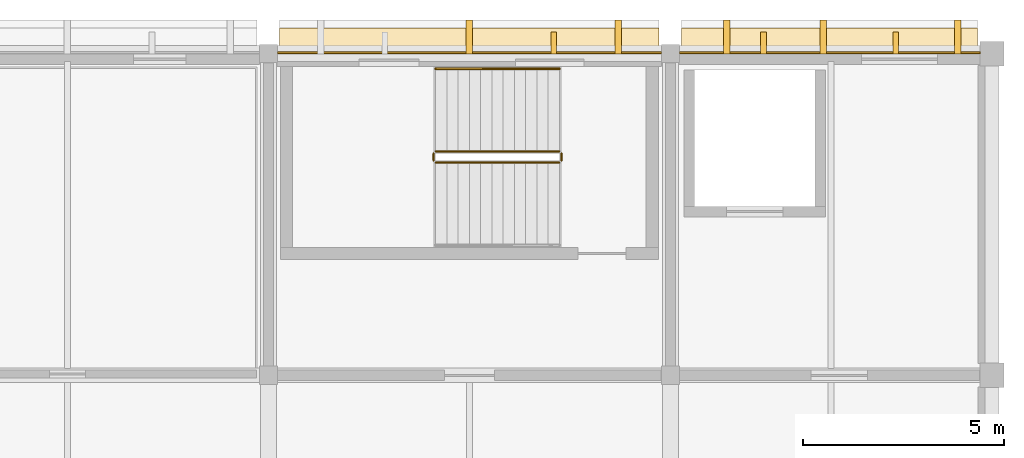
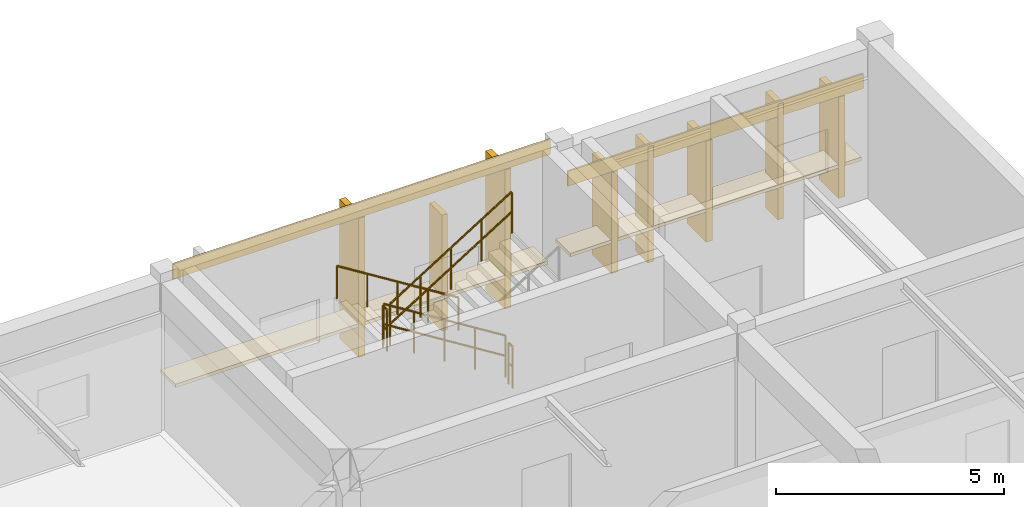
# One storey, part 21 of 21: 9 coverings, 5 railings, 3 shading devices.
"""IFC4 building model written with IfcOpenShell, lengths in metres."""

from ifc_helpers import new_model, si_unit, direction, frame, frame_2d, origin, origin_2d, place, context, subcontext, project, spatial, rectangle, circle, extrude, material, layer, layer_set, type_object, element, save


model = new_model("IFC4")

# Units and contexts
model_context = context("Model", 3, precision=1e-05, world=origin(), true_north=direction((0.0, 1.0)))
body_context = subcontext(model_context, "Body", "Model", "MODEL_VIEW")
ifc_project = project(units=[si_unit("LENGTHUNIT", "METRE"), si_unit("AREAUNIT", "SQUARE_METRE"), si_unit("VOLUMEUNIT", "CUBIC_METRE"), si_unit("PLANEANGLEUNIT", "RADIAN"), si_unit("MASSUNIT", "GRAM", prefix="KILO")], contexts=[model_context])

# Site, building, storey
site_placement = place(None, origin())
site = spatial("IfcSite", under=ifc_project, at=site_placement, CompositionType="ELEMENT")
building_placement = place(site_placement, origin())
building = spatial("IfcBuilding", under=site, at=building_placement, Name="Kivolera Central Railway Station", CompositionType="ELEMENT")
storey_placement = place(building_placement, frame((0.0, 0.0, 22.800048828125)))
storey = spatial("IfcBuildingStorey", under=building, at=storey_placement, Name="L05", CompositionType="ELEMENT", Elevation=22.800048828125)

# Shading devices
ifc_material_1 = material(Name="Precast concrete C40/50", Category="concrete")
shading_device_type = type_object("IfcShadingDeviceType", Name="BS-FIN-UPP", PredefinedType="USERDEFINED", material=ifc_material_1)
for number, where, z_axis, x_axis, name in (
    (1, (185.10302734375, 134.26708984375, 0.0), (0.0, 0.0, 1.0), (1.0, 0.0, 0.0), "L05 North Brise-Soleil Fin 7.2"),
    (2, (190.31591796875, 134.26708984375, 0.0), (0.0, 0.0, 1.0), (1.0, 0.0, 0.0), "L05 North Brise-Soleil Fin 8.1"),
    (3, (193.60888671875, 134.26708984375, 0.0), (0.0, 0.0, 1.0), (1.0, 0.0, 0.0), "L05 North Brise-Soleil Fin 8.2"),
):
    element("IfcShadingDevice", number, at=place(storey_placement, frame(where, z_axis=z_axis, x_axis=x_axis)), inside=storey, type_object=shading_device_type, Name=name, ObjectType="FIN", PredefinedType="USERDEFINED", context=body_context, shape_type="SweptSolid", body=[
        extrude(rectangle(XDim=0.139892578125, YDim=0.550048828125, at=origin_2d()), origin(), (0.0, 0.0, 1.0), 3.10009765625),
    ])

# Coverings
ifc_layer_1 = layer(ifc_material_1, 0.090087890625, Name="Precast concrete C40/50")
ifc_layer_set_1 = layer_set([ifc_layer_1], Name="Precast concrete C40/50")
covering_type_1 = type_object("IfcCoveringType", Name="COV-CLAUSTRA-90", PredefinedType="CLADDING", material=ifc_layer_set_1)
covering_1_placement = place(storey_placement, frame((183.0, 134.31298828125, 0.85498046875), z_axis=(0.0, 0.0, 1.0), x_axis=(1.0, 0.0, 0.0)))
element("IfcCovering", 4, at=covering_1_placement, inside=storey, type_object=covering_type_1, Name="L05 North Precast Egg-Crate Sill Shelf 7", PredefinedType="CLADDING", context=body_context, shape_type="SweptSolid", body=[
    extrude(rectangle(XDim=9.43994140625, YDim=0.64990234375, at=origin_2d()), origin(), (0.0, 0.0, 1.0), 0.090087890625),
])
covering_2_placement = place(storey_placement, frame((191.962890625, 134.31298828125, 0.85498046875), z_axis=(0.0, 0.0, 1.0), x_axis=(1.0, 0.0, 0.0)))
element("IfcCovering", 5, at=covering_2_placement, inside=storey, type_object=covering_type_1, Name="L05 North Precast Egg-Crate Sill Shelf 8", PredefinedType="CLADDING", context=body_context, shape_type="SweptSolid", body=[
    extrude(rectangle(XDim=7.364990234375, YDim=0.64990234375, at=origin_2d()), origin(), (0.0, 0.0, 1.0), 0.090087890625),
])
ifc_material_2 = material(Name="Swahili coral limestone", Category="masonry")
ifc_layer_2 = layer(ifc_material_2, 0.159912109375, Name="Swahili coral limestone")
ifc_layer_set_2 = layer_set([ifc_layer_2], Name="Swahili coral limestone")
covering_type_2 = type_object("IfcCoveringType", Name="COV-EGGFIN-160", PredefinedType="CLADDING", material=ifc_layer_set_2)
for number, where, z_axis, x_axis, name in (
    (6, (183.0, 134.4130859375, 0.0400390625), (0.0, 0.0, 1.0), (1.0, 0.0, 0.0), "L05 North Afro-Modernist Coral-Stone Sun-Fin 7.2"),
    (7, (186.699951171875, 134.4130859375, 0.0400390625), (0.0, 0.0, 1.0), (1.0, 0.0, 0.0), "L05 North Afro-Modernist Coral-Stone Sun-Fin 7.3"),
):
    element("IfcCovering", number, at=place(storey_placement, frame(where, z_axis=z_axis, x_axis=x_axis)), inside=storey, type_object=covering_type_2, Name=name, PredefinedType="CLADDING", context=body_context, shape_type="SweptSolid", body=[
        extrude(rectangle(XDim=0.159912109375, YDim=0.85009765625, at=origin_2d()), origin(), (0.0, 0.0, 1.0), 3.719970703125),
    ])
for number, where, z_axis, x_axis, name in (
    (8, (189.39990234375, 134.4130859375, 0.0400390625), (0.0, 0.0, 1.0), (1.0, 0.0, 0.0), "L05 North Afro-Modernist Coral-Stone Sun-Fin 8.1"),
    (9, (191.800048828125, 134.4130859375, 0.0400390625), (0.0, 0.0, 1.0), (1.0, 0.0, 0.0), "L05 North Afro-Modernist Coral-Stone Sun-Fin 8.2"),
    (10, (195.14990234375, 134.4130859375, 0.0400390625), (0.0, 0.0, 1.0), (1.0, 0.0, 0.0), "L05 North Afro-Modernist Coral-Stone Sun-Fin 8.3"),
):
    element("IfcCovering", number, at=place(storey_placement, frame(where, z_axis=z_axis, x_axis=x_axis)), inside=storey, type_object=covering_type_2, Name=name, PredefinedType="CLADDING", context=body_context, shape_type="SweptSolid", body=[
        extrude(rectangle(XDim=0.159912109375, YDim=0.85009765625, at=origin_2d()), origin(), (0.0, 0.0, 1.0), 2.7080078125),
    ])
ifc_material_3 = material(Name="Terracotta clay tile", Category="masonry")
ifc_layer_3 = layer(ifc_material_3, 0.044921875, Name="Terracotta clay tile")
ifc_layer_set_3 = layer_set([ifc_layer_3], Name="Terracotta clay tile")
covering_type_3 = type_object("IfcCoveringType", Name="COV-TERRACOTTA-45", PredefinedType="CLADDING", material=ifc_layer_set_3)
covering_3_placement = place(storey_placement, frame((178.219970703125, 134.02001953125, 3.77001953125), z_axis=(0.0, 0.0, 1.0), x_axis=(1.0, 0.0, 0.0)))
element("IfcCovering", 11, at=covering_3_placement, inside=storey, type_object=covering_type_3, Name="L05 North Terracotta Spandrel 7", PredefinedType="CLADDING", context=body_context, shape_type="SweptSolid", body=[
    extrude(rectangle(XDim=9.56005859375, YDim=0.044921875, at=frame_2d((4.780029296875, 0.0))), origin(), (0.0, 0.0, 1.0), 0.39990234375),
])
covering_4_placement = place(storey_placement, frame((188.219970703125, 134.02001953125, 2.758056640625), z_axis=(0.0, 0.0, 1.0), x_axis=(1.0, 0.0, 0.0)))
element("IfcCovering", 12, at=covering_4_placement, inside=storey, type_object=covering_type_3, Name="L05 North Terracotta Spandrel 8", PredefinedType="CLADDING", context=body_context, shape_type="SweptSolid", body=[
    extrude(rectangle(XDim=7.485107421875, YDim=0.044921875, at=frame_2d((3.74267578125, 0.0))), origin(), (0.0, 0.0, 1.0), 0.39990234375),
])

# Railings
ifc_material_4 = material(Name="Anodised aluminium", Category="aluminium")
ifc_layer_4 = layer(ifc_material_4, 0.048095703125, Name="Anodised aluminium")
ifc_layer_set_4 = layer_set([ifc_layer_4], Name="Anodised aluminium")
railing_type_1 = type_object("IfcRailingType", Name="RL-STAIR-GUARD", PredefinedType="GUARDRAIL", material=ifc_layer_set_4)
railing_1_placement = place(storey_placement, frame((185.239990234375, 131.570068359375, 0.175048828125)))
element("IfcRailing", 13, at=railing_1_placement, inside=storey, type_object=railing_type_1, Name="L05 ST3 stair guard 1", PredefinedType="GUARDRAIL", context=body_context, shape_type="SweptSolid", body=[
    extrude(circle(Radius=0.02392578125, at=origin_2d()), frame((0.0, 0.0, 1.10595703125), z_axis=(-0.848028513186, 0.0, 0.529950602248), x_axis=(0.0, -1.0, 0.0)), (0.0, 0.0, 1.0), 3.632080078125),
    extrude(circle(Radius=0.02392578125, at=origin_2d()), frame((0.0, 0.0, 0.56494140625), z_axis=(-0.848028513186, 0.0, 0.529950602248), x_axis=(0.0, -1.0, 0.0)), (0.0, 0.0, 1.0), 3.632080078125),
    extrude(circle(Radius=0.02099609375, at=origin_2d()), origin(), (0.0, 0.0, 1.0), 1.081787109375),
    extrude(circle(Radius=0.02099609375, at=origin_2d()), frame((-0.77001953125, 0.0, 0.481201171875)), (0.0, 0.0, 1.0), 1.081787109375),
    extrude(circle(Radius=0.02099609375, at=origin_2d()), frame((-1.5400390625, 0.0, 0.96240234375)), (0.0, 0.0, 1.0), 1.081787109375),
    extrude(circle(Radius=0.02099609375, at=origin_2d()), frame((-2.31005859375, 0.0, 1.443603515625)), (0.0, 0.0, 1.0), 1.081787109375),
    extrude(circle(Radius=0.02099609375, at=origin_2d()), frame((-3.080078125, 0.0, 1.9248046875)), (0.0, 0.0, 1.0), 1.081787109375),
])
railing_2_placement = place(storey_placement, frame((182.110107421875, 131.52001953125, 2.099853515625)))
element("IfcRailing", 14, at=railing_2_placement, inside=storey, type_object=railing_type_1, Name="L05 ST3 stair guard 2", PredefinedType="GUARDRAIL", context=body_context, shape_type="SweptSolid", body=[
    extrude(circle(Radius=0.02392578125, at=origin_2d()), frame((0.0, 0.0, 1.10595703125), z_axis=(0.0, -1.0, 0.0), x_axis=(1.0, 0.0, 0.0)), (0.0, 0.0, 1.0), 0.179931640625),
    extrude(circle(Radius=0.02392578125, at=origin_2d()), frame((0.0, 0.0, 0.56494140625), z_axis=(0.0, -1.0, 0.0), x_axis=(1.0, 0.0, 0.0)), (0.0, 0.0, 1.0), 0.179931640625),
    extrude(circle(Radius=0.02099609375, at=origin_2d()), origin(), (0.0, 0.0, 1.0), 1.081787109375),
    extrude(circle(Radius=0.02099609375, at=origin_2d()), frame((0.0, -0.179931640625, 0.0)), (0.0, 0.0, 1.0), 1.081787109375),
])
railing_3_placement = place(storey_placement, frame((182.159912109375, 131.2900390625, 2.27490234375)))
element("IfcRailing", 15, at=railing_3_placement, inside=storey, type_object=railing_type_1, Name="L05 ST3 stair guard 3", PredefinedType="GUARDRAIL", context=body_context, shape_type="SweptSolid", body=[
    extrude(circle(Radius=0.02392578125, at=origin_2d()), frame((0.0, 0.0, 1.10595703125), z_axis=(0.847998304005, 0.0, 0.529998940003), x_axis=(0.0, 1.0, 0.0)), (0.0, 0.0, 1.0), 3.632080078125),
    extrude(circle(Radius=0.02392578125, at=origin_2d()), frame((0.0, 0.0, 0.56494140625), z_axis=(0.847998304005, 0.0, 0.529998940003), x_axis=(0.0, 1.0, 0.0)), (0.0, 0.0, 1.0), 3.632080078125),
    extrude(circle(Radius=0.02099609375, at=origin_2d()), origin(), (0.0, 0.0, 1.0), 1.081787109375),
    extrude(circle(Radius=0.02099609375, at=origin_2d()), frame((0.77001953125, 0.0, 0.481201171875)), (0.0, 0.0, 1.0), 1.081787109375),
    extrude(circle(Radius=0.02099609375, at=origin_2d()), frame((1.5400390625, 0.0, 0.96240234375)), (0.0, 0.0, 1.0), 1.081787109375),
    extrude(circle(Radius=0.02099609375, at=origin_2d()), frame((2.31005859375, 0.0, 1.44384765625)), (0.0, 0.0, 1.0), 1.081787109375),
    extrude(circle(Radius=0.02099609375, at=origin_2d()), frame((3.080078125, 0.0, 1.925048828125)), (0.0, 0.0, 1.0), 1.081787109375),
])
railing_4_placement = place(storey_placement, frame((185.2900390625, 131.52001953125, 0.0)))
element("IfcRailing", 16, at=railing_4_placement, inside=storey, type_object=railing_type_1, Name="L05 ST3 stair guard 4", PredefinedType="GUARDRAIL", context=body_context, shape_type="SweptSolid", body=[
    extrude(circle(Radius=0.02392578125, at=origin_2d()), frame((0.0, 0.0, 1.10595703125), z_axis=(0.0, -1.0, 0.0), x_axis=(1.0, 0.0, 0.0)), (0.0, 0.0, 1.0), 0.179931640625),
    extrude(circle(Radius=0.02392578125, at=origin_2d()), frame((0.0, 0.0, 0.56494140625), z_axis=(0.0, -1.0, 0.0), x_axis=(1.0, 0.0, 0.0)), (0.0, 0.0, 1.0), 0.179931640625),
    extrude(circle(Radius=0.02099609375, at=origin_2d()), origin(), (0.0, 0.0, 1.0), 1.081787109375),
    extrude(circle(Radius=0.02099609375, at=origin_2d()), frame((0.0, -0.179931640625, 0.0)), (0.0, 0.0, 1.0), 1.081787109375),
])
ifc_layer_5 = layer(ifc_material_4, 0.048095703125, Name="Anodised aluminium")
ifc_layer_set_5 = layer_set([ifc_layer_5], Name="Anodised aluminium")
railing_type_2 = type_object("IfcRailingType", Name="RL-STAIR-HAND", PredefinedType="HANDRAIL", material=ifc_layer_set_5)
railing_5_placement = place(storey_placement, frame((185.239990234375, 133.6298828125, 0.175048828125)))
element("IfcRailing", 17, at=railing_5_placement, inside=storey, type_object=railing_type_2, Name="L05 ST3 stair handrail 1", PredefinedType="HANDRAIL", context=body_context, shape_type="SweptSolid", body=[
    extrude(circle(Radius=0.02392578125, at=origin_2d()), frame((0.0, 0.0, 0.8759765625), z_axis=(-0.848028513186, 0.0, 0.529950602248), x_axis=(0.0, -1.0, 0.0)), (0.0, 0.0, 1.0), 3.632080078125),
    extrude(circle(Radius=0.02099609375, at=origin_2d()), origin(), (0.0, 0.0, 1.0), 0.851806640625),
    extrude(circle(Radius=0.02099609375, at=origin_2d()), frame((-0.77001953125, 0.0, 0.481201171875)), (0.0, 0.0, 1.0), 0.851806640625),
    extrude(circle(Radius=0.02099609375, at=origin_2d()), frame((-1.5400390625, 0.0, 0.96240234375)), (0.0, 0.0, 1.0), 0.851806640625),
    extrude(circle(Radius=0.02099609375, at=origin_2d()), frame((-2.31005859375, 0.0, 1.443603515625)), (0.0, 0.0, 1.0), 0.851806640625),
    extrude(circle(Radius=0.02099609375, at=origin_2d()), frame((-3.080078125, 0.0, 1.9248046875)), (0.0, 0.0, 1.0), 0.851806640625),
])

save(model, "model.ifc")
